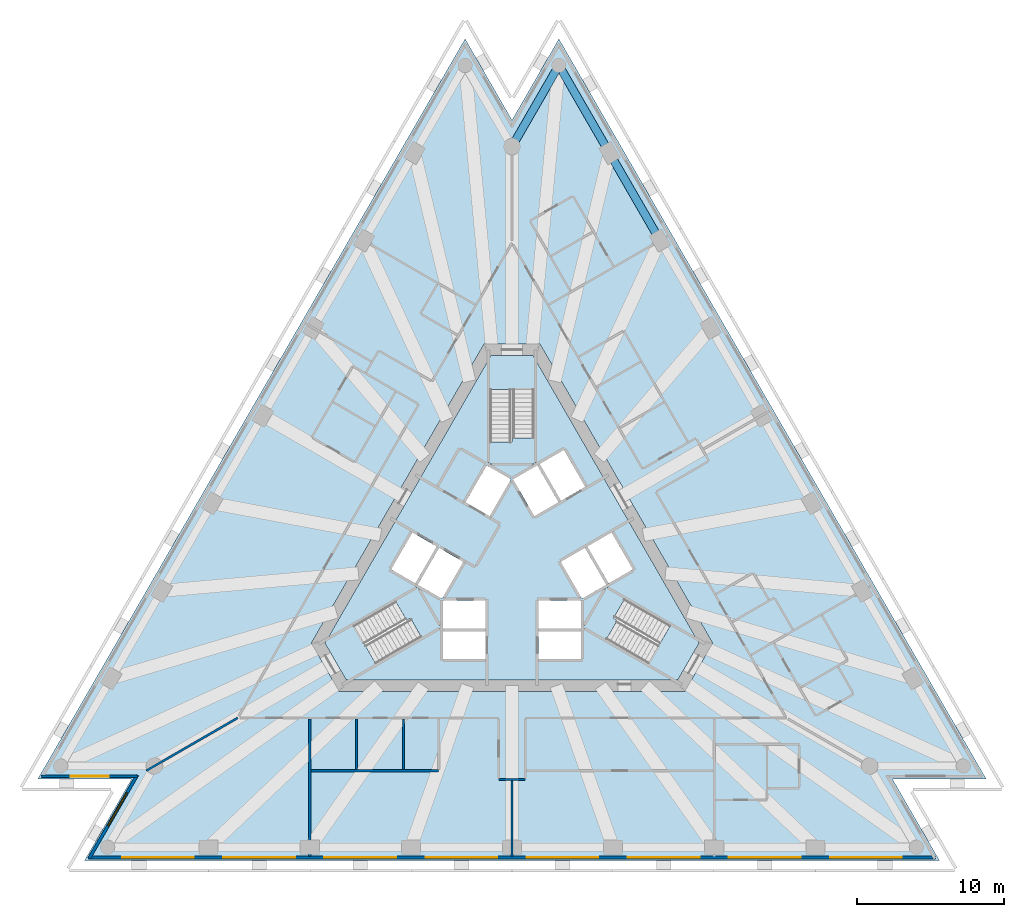
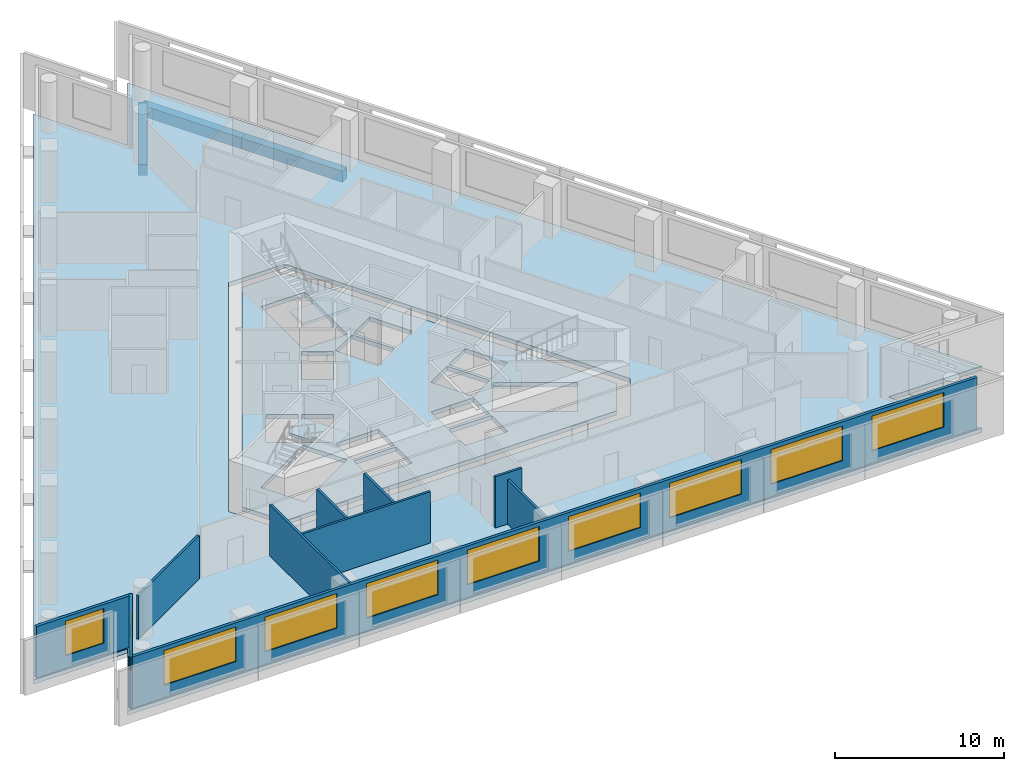
# One storey, part 2 of 10: 10 walls, 10 windows, 5 slabs, 3 beams, 10 openings, 3 elements without a shape of their own.
"""IFC4 building model written with IfcOpenShell, lengths in metres."""

from ifc_helpers import new_model, si_unit, direction, frame, frame_2d, origin, origin_2d, place, context, subcontext, project, spatial, polyline, rectangle, outline, extrude, material, layer, layer_set, layer_usage, material_profile, profile_set, type_object, element, fill, aggregate, save


model = new_model("IFC4")

# Units and contexts
model_context = context("Model", 3, precision=1e-05, world=origin(), true_north=direction((0.0, 1.0)))
body_context = subcontext(model_context, "Body", "Model", "MODEL_VIEW")
ifc_project = project(units=[si_unit("LENGTHUNIT", "METRE"), si_unit("AREAUNIT", "SQUARE_METRE"), si_unit("VOLUMEUNIT", "CUBIC_METRE"), si_unit("PLANEANGLEUNIT", "RADIAN"), si_unit("MASSUNIT", "GRAM", prefix="KILO")], contexts=[model_context])

# Site, building, storey
site_placement = place(None, origin())
site = spatial("IfcSite", under=ifc_project, at=site_placement, CompositionType="ELEMENT")
building_placement = place(site_placement, origin())
building = spatial("IfcBuilding", under=site, at=building_placement, Name="Triada Interchange Tower", CompositionType="ELEMENT")
storey_placement = place(building_placement, frame((0.0, 0.0, 116.300048828125)))
storey = spatial("IfcBuildingStorey", under=building, at=storey_placement, Name="L26", CompositionType="ELEMENT", Elevation=116.300048828125)

# Beams
ifc_material_1 = material(Name="Concrete C50/60", Category="concrete")
ifc_material_profile = material_profile(ifc_material_1, rectangle(XDim=0.550048828125, YDim=0.800048828125, at=origin_2d()), Name="RC 550x800")
ifc_profile_set = profile_set([ifc_material_profile], Name="Concrete C50/60")
beam_type = type_object("IfcBeamType", Name="Spandrel beam B RC 550x800", PredefinedType="BEAM", material=ifc_profile_set)
beam_1_placement = place(storey_placement, frame((10.096923828125, 21.760009765625, -0.699951171875), z_axis=(-0.500056430882, 0.865992820948, 0.0), x_axis=(-0.865992820948, -0.500056430882, 0.0)))
element("IfcBeam", 1, at=beam_1_placement, inside=storey, type_object=beam_type, Name="Spandrel beam EB27 L26", PredefinedType="BEAM", context=body_context, shape_type="SweptSolid", body=[
    extrude(rectangle(XDim=0.550048828125, YDim=0.800048828125, at=origin_2d()), origin(), (0.0, 0.0, 1.0), 6.897216796875),
])
beam_2_placement = place(storey_placement, frame((6.64794921875, 27.73291015625, -0.699951171875), z_axis=(-0.499979797689, 0.86603706728, 0.0), x_axis=(-0.86603706728, -0.499979797689, 0.0)))
element("IfcBeam", 2, at=beam_2_placement, inside=storey, type_object=beam_type, Name="Spandrel beam EB28 L26", PredefinedType="BEAM", context=body_context, shape_type="SweptSolid", body=[
    extrude(rectangle(XDim=0.550048828125, YDim=0.800048828125, at=origin_2d()), origin(), (0.0, 0.0, 1.0), 6.898193359375),
])
beam_3_placement = place(storey_placement, frame((3.198974609375, 33.70703125, -0.699951171875), z_axis=(-0.49991841402, -0.866072502348, 0.0), x_axis=(0.866072502348, -0.49991841402, 0.0)))
element("IfcBeam", 3, at=beam_3_placement, inside=storey, type_object=beam_type, Name="Spandrel beam EB29 L26", PredefinedType="BEAM", context=body_context, shape_type="SweptSolid", body=[
    extrude(rectangle(XDim=0.550048828125, YDim=0.800048828125, at=origin_2d()), origin(), (0.0, 0.0, 1.0), 6.39892578125),
])

# Slabs
ifc_layer_1 = layer(ifc_material_1, 0.300048828125)
ifc_layer_set_1 = layer_set([ifc_layer_1], Name="Floor slab 300")
slab_type_1 = type_object("IfcSlabType", Name="Floor slab 300", PredefinedType="FLOOR", material=ifc_layer_set_1)
slab_1_placement = place(storey_placement, frame((0.0, 0.0, -0.300048828125)))
element("IfcSlab", 4, at=slab_1_placement, inside=storey, type_object=slab_type_1, Name="Floor slab L26", PredefinedType="FLOOR", context=body_context, shape_type="SweptSolid", body=[
    extrude(outline(polyline([(-3.198974609375, 35.507080078125), (-32.34912109375, -14.98291015625), (-25.949951171875, -14.98291015625), (-29.14990234375, -20.52392578125), (29.14990234375, -20.52392578125), (25.949951171875, -14.98291015625), (32.34912109375, -14.98291015625), (3.198974609375, 35.507080078125), (0.0, 29.965087890625), (-3.198974609375, 35.507080078125)]), holes=[polyline([(1.905029296875, 14.699951171875), (-1.905029296875, 14.699951171875), (-13.68310546875, -5.699951171875), (-11.778076171875, -9.0), (11.778076171875, -9.0), (13.68310546875, -5.699951171875), (1.905029296875, 14.699951171875)])]), origin(), (0.0, 0.0, 1.0), 0.300048828125),
])
slab_2_placement = place(storey_placement, frame((0.0, 0.0, -0.300048828125)))
element("IfcSlab", 5, at=slab_2_placement, inside=storey, type_object=slab_type_1, Name="Core floor slab L26 1", PredefinedType="FLOOR", context=body_context, shape_type="SweptSolid", body=[
    extrude(outline(polyline([(12.759033203125, -5.699951171875), (11.31591796875, -8.199951171875), (-11.31591796875, -8.199951171875), (-12.759033203125, -5.699951171875), (-1.443115234375, 13.89990234375), (1.443115234375, 13.89990234375), (12.759033203125, -5.699951171875)]), holes=[polyline([(9.2958984375, -7.09912109375), (10.7958984375, -4.5009765625), (6.466064453125, -2.0009765625), (4.966064453125, -4.59912109375), (9.2958984375, -7.09912109375)]), polyline([(6.7890625, 1.841064453125), (5.14404296875, 0.89111328125), (6.593994140625, -1.6201171875), (8.239013671875, -0.669921875), (6.7890625, 1.841064453125)]), polyline([(4.77490234375, -2.669921875), (6.419921875, -1.719970703125), (4.969970703125, 0.791015625), (3.9150390625, 0.181884765625), (3.324951171875, -0.158935546875), (4.77490234375, -2.669921875)]), polyline([(1.89404296875, 6.52001953125), (3.343994140625, 4.009033203125), (4.989013671875, 4.958984375), (3.5390625, 7.469970703125), (1.89404296875, 6.52001953125)]), polyline([(4.699951171875, -6.800048828125), (4.699951171875, -4.89990234375), (1.800048828125, -4.89990234375), (1.800048828125, -6.800048828125), (4.699951171875, -6.800048828125)]), polyline([(4.699951171875, -2.800048828125), (1.800048828125, -2.800048828125), (1.800048828125, -4.699951171875), (4.699951171875, -4.699951171875), (4.699951171875, -2.800048828125)]), polyline([(0.074951171875, 5.469970703125), (1.52490234375, 2.958984375), (3.169921875, 3.908935546875), (1.719970703125, 6.419921875), (0.074951171875, 5.469970703125)]), polyline([(1.5, 11.60009765625), (-1.5, 11.60009765625), (-1.5, 6.60009765625), (1.5, 6.60009765625), (1.5, 11.60009765625)]), polyline([(-1.52490234375, 2.958984375), (-0.074951171875, 5.469970703125), (-1.719970703125, 6.419921875), (-3.169921875, 3.908935546875), (-1.52490234375, 2.958984375)]), polyline([(-1.800048828125, -2.800048828125), (-4.699951171875, -2.800048828125), (-4.699951171875, -4.699951171875), (-1.800048828125, -4.699951171875), (-1.800048828125, -2.800048828125)]), polyline([(-4.699951171875, -6.800048828125), (-1.800048828125, -6.800048828125), (-1.800048828125, -4.89990234375), (-4.699951171875, -4.89990234375), (-4.699951171875, -6.800048828125)]), polyline([(-4.77490234375, -2.669921875), (-3.324951171875, -0.158935546875), (-4.969970703125, 0.791015625), (-6.419921875, -1.719970703125), (-4.77490234375, -2.669921875)]), polyline([(-10.7958984375, -4.5009765625), (-9.2958984375, -7.09912109375), (-4.966064453125, -4.59912109375), (-6.466064453125, -2.0009765625), (-10.7958984375, -4.5009765625)]), polyline([(-6.593994140625, -1.6201171875), (-5.14404296875, 0.89111328125), (-6.7890625, 1.841064453125), (-8.239013671875, -0.669921875), (-6.593994140625, -1.6201171875)])]), origin(), (0.0, 0.0, 1.0), 0.300048828125),
])

# Stair, slab
ifc_material_2 = material(Name="Concrete C35/45", Category="concrete")
stair_type = type_object("IfcStairType", Name="HALF TURN STAIR 1400", PredefinedType="HALF_TURN_STAIR", material=ifc_material_2)
stair_1_placement = place(storey_placement, origin())
stair_1 = element("IfcStair", 6, at=stair_1_placement, inside=storey, type_object=stair_type, Name="Exit stair S26-1", PredefinedType="HALF_TURN_STAIR")
ifc_layer_2 = layer(ifc_material_2, 0.199951171875)
ifc_layer_set_2 = layer_set([ifc_layer_2], Name="STAIR LANDING 200")
slab_type_2 = type_object("IfcSlabType", Name="STAIR LANDING 200", PredefinedType="LANDING", material=ifc_layer_set_2)
slab_3_placement = place(storey_placement, frame((0.0, 0.0, 1.719970703125)))
slab_3 = element("IfcSlab", 7, at=slab_3_placement, type_object=slab_type_2, Name="S26-1 landing 1", PredefinedType="LANDING", context=body_context, shape_type="SweptSolid", body=[
    extrude(outline(polyline([(1.60009765625, 6.5), (1.60009765625, 8.300048828125), (0.0, 8.300048828125), (0.0, 8.0), (-1.60009765625, 8.0), (-1.60009765625, 6.5), (1.60009765625, 6.5)])), origin(), (0.0, 0.0, 1.0), 0.199951171875),
])
aggregate(stair_1, [slab_3])

stair_2_placement = place(storey_placement, origin())
stair_2 = element("IfcStair", 8, at=stair_2_placement, inside=storey, type_object=stair_type, Name="Exit stair S26-2", PredefinedType="HALF_TURN_STAIR")
slab_4_placement = place(storey_placement, frame((0.0, 0.0, 1.719970703125)))
slab_4 = element("IfcSlab", 9, at=slab_4_placement, type_object=slab_type_2, Name="S26-2 landing 1", PredefinedType="LANDING", context=body_context, shape_type="SweptSolid", body=[
    extrude(outline(polyline([(-6.428955078125, -1.864013671875), (-7.988037109375, -2.763916015625), (-7.18798828125, -4.14990234375), (-6.927978515625, -4.0), (-6.1279296875, -5.385986328125), (-4.8291015625, -4.635986328125), (-6.428955078125, -1.864013671875)])), origin(), (0.0, 0.0, 1.0), 0.199951171875),
])
aggregate(stair_2, [slab_4])

stair_3_placement = place(storey_placement, origin())
stair_3 = element("IfcStair", 10, at=stair_3_placement, inside=storey, type_object=stair_type, Name="Exit stair S26-3", PredefinedType="HALF_TURN_STAIR")
slab_5_placement = place(storey_placement, frame((0.0, 0.0, 1.719970703125)))
slab_5 = element("IfcSlab", 11, at=slab_5_placement, type_object=slab_type_2, Name="S26-3 landing 1", PredefinedType="LANDING", context=body_context, shape_type="SweptSolid", body=[
    extrude(outline(polyline([(4.8291015625, -4.635986328125), (6.387939453125, -5.535888671875), (7.18798828125, -4.14990234375), (6.927978515625, -4.0), (7.72802734375, -2.614013671875), (6.428955078125, -1.864013671875), (4.8291015625, -4.635986328125)])), origin(), (0.0, 0.0, 1.0), 0.199951171875),
])
aggregate(stair_3, [slab_5])

# Wall, opening, window
ifc_material_3 = material(Name="Cement board")
ifc_layer_3 = layer(ifc_material_3, 0.02001953125, Name="Cement board cladding")
ifc_material_4 = material(Name="Sheathing board")
ifc_layer_4 = layer(ifc_material_4, 0.014892578125, Name="Sheathing board")
ifc_material_5 = material(Name="Mineral wool")
ifc_layer_5 = layer(ifc_material_5, 0.14990234375, Name="Mineral wool between steel studs")
ifc_material_6 = material(Name="Gypsum board")
ifc_layer_6 = layer(ifc_material_6, 0.014892578125, Name="Plasterboard lining")
ifc_layer_set_3 = layer_set([ifc_layer_3, ifc_layer_4, ifc_layer_5, ifc_layer_6], Name="External wall 200")
ifc_layer_usage = layer_usage(ifc_layer_set_3, "AXIS2", "POSITIVE", -0.10009765625)
wall_type_1 = type_object("IfcWallType", Name="External wall 200", PredefinedType="ELEMENTEDWALL", material=ifc_layer_set_3)
wall_1_placement = place(storey_placement, frame((-32.093017578125, -14.782958984375, 0.0), z_axis=(0.0, 0.0, 1.0), x_axis=(1.0, 0.0, 0.0)))
wall_1 = element("IfcWall", 12, at=wall_1_placement, inside=storey, type_object=wall_type_1, material=ifc_layer_usage, Name="External wall L26 SW-1", PredefinedType="ELEMENTEDWALL", context=body_context, shape_type="SweptSolid", body=[
    extrude(rectangle(XDim=6.55908203125, YDim=0.199951171875, at=frame_2d((3.279541015625, 0.0))), origin(), (0.0, 0.0, 1.0), 3.699951171875),
])
opening_1_placement = place(wall_1_placement, frame((1.989990234375, 0.0, 0.89990234375)))
opening_1 = element("IfcOpeningElement", 13, at=opening_1_placement, cuts=wall_1, Name="Opening WB09", PredefinedType="OPENING", context=body_context, shape_type="SweptSolid", body=[
    extrude(rectangle(XDim=2.60009765625, YDim=2.5, at=frame_2d((1.300048828125, 1.25))), frame((0.0, 0.10986328125, 0.0), z_axis=(0.0, -1.0, 0.0), x_axis=(1.0, 0.0, 0.0)), (0.0, 0.0, 1.0), 0.219970703125),
])
ifc_material_7 = material(Name="Double glazed aluminium window", Category="aluminium")
window_type_1 = type_object("IfcWindowType", Name="Ribbon window B pocket", PartitioningType="SINGLE_PANEL", PredefinedType="WINDOW", material=ifc_material_7)
window_1_placement = place(opening_1_placement, origin())
window_1 = element("IfcWindow", 14, at=window_1_placement, inside=storey, type_object=window_type_1, Name="Window L26 SW-1 1", OverallHeight=2.5, OverallWidth=2.60009765625, PartitioningType="SINGLE_PANEL", PredefinedType="WINDOW", context=body_context, shape_type="SweptSolid", body=[
    extrude(rectangle(XDim=2.60009765625, YDim=2.5, at=frame_2d((1.300048828125, 1.25))), frame((0.0, 0.030029296875, 0.0), z_axis=(0.0, -1.0, 0.0), x_axis=(1.0, 0.0, 0.0)), (0.0, 0.0, 1.0), 0.06005859375),
])
fill(opening_1, window_1)

wall_2_placement = place(storey_placement, frame((-25.55908203125, -14.705078125, 0.0), z_axis=(0.0, 0.0, 1.0), x_axis=(-0.500082240168, -0.865977917195, 0.0)))
wall_2 = element("IfcWall", 15, at=wall_2_placement, inside=storey, type_object=wall_type_1, material=ifc_layer_usage, Name="External wall L26 SW-2", PredefinedType="ELEMENTEDWALL", context=body_context, shape_type="SweptSolid", body=[
    extrude(rectangle(XDim=6.55908203125, YDim=0.199951171875, at=frame_2d((3.279541015625, 0.0))), origin(), (0.0, 0.0, 1.0), 3.699951171875),
])
opening_2_placement = place(wall_2_placement, frame((1.389892578125, 0.0, 0.89990234375)))
opening_2 = element("IfcOpeningElement", 16, at=opening_2_placement, cuts=wall_2, Name="Opening WB10", PredefinedType="OPENING", context=body_context, shape_type="SweptSolid", body=[
    extrude(rectangle(XDim=2.60009765625, YDim=2.5, at=frame_2d((1.300048828125, 1.25))), frame((0.0, 0.10986328125, 0.0), z_axis=(0.0, -1.0, 0.0), x_axis=(1.0, 0.0, 0.0)), (0.0, 0.0, 1.0), 0.219970703125),
])
window_2_placement = place(opening_2_placement, origin())
window_2 = element("IfcWindow", 17, at=window_2_placement, inside=storey, type_object=window_type_1, Name="Window L26 SW-2 1", OverallHeight=2.5, OverallWidth=2.60009765625, PartitioningType="SINGLE_PANEL", PredefinedType="WINDOW", context=body_context, shape_type="SweptSolid", body=[
    extrude(rectangle(XDim=2.60009765625, YDim=2.5, at=frame_2d((1.300048828125, 1.25))), frame((0.0, 0.030029296875, 0.0), z_axis=(0.0, -1.0, 0.0), x_axis=(1.0, 0.0, 0.0)), (0.0, 0.0, 1.0), 0.06005859375),
])
fill(opening_2, window_2)

# Wall, openings, windows
wall_3_placement = place(storey_placement, frame((-28.89404296875, -20.323974609375, 0.0), z_axis=(0.0, 0.0, 1.0), x_axis=(1.0, 0.0, 0.0)))
wall_3 = element("IfcWall", 18, at=wall_3_placement, inside=storey, type_object=wall_type_1, material=ifc_layer_usage, Name="External wall L26 S", PredefinedType="ELEMENTEDWALL", context=body_context, shape_type="SweptSolid", body=[
    extrude(rectangle(XDim=57.76806640625, YDim=0.199951171875, at=frame_2d((28.884033203125, 0.0))), origin(), (0.0, 0.0, 1.0), 3.699951171875),
])
opening_3_placement = place(wall_3_placement, frame((2.302001953125, 0.0, 0.89990234375)))
opening_3 = element("IfcOpeningElement", 19, at=opening_3_placement, cuts=wall_3, Name="Opening WB11", PredefinedType="OPENING", context=body_context, shape_type="SweptSolid", body=[
    extrude(rectangle(XDim=4.89990234375, YDim=2.5, at=frame_2d((2.449951171875, 1.25))), frame((0.0, 0.10986328125, 0.0), z_axis=(0.0, -1.0, 0.0), x_axis=(1.0, 0.0, 0.0)), (0.0, 0.0, 1.0), 0.219970703125),
])
opening_4_placement = place(wall_3_placement, frame((9.199951171875, 0.0, 0.89990234375)))
opening_4 = element("IfcOpeningElement", 20, at=opening_4_placement, cuts=wall_3, Name="Opening WB12", PredefinedType="OPENING", context=body_context, shape_type="SweptSolid", body=[
    extrude(rectangle(XDim=4.89990234375, YDim=2.5, at=frame_2d((2.449951171875, 1.25))), frame((0.0, 0.10986328125, 0.0), z_axis=(0.0, -1.0, 0.0), x_axis=(1.0, 0.0, 0.0)), (0.0, 0.0, 1.0), 0.219970703125),
])
opening_5_placement = place(wall_3_placement, frame((16.096923828125, 0.0, 0.89990234375)))
opening_5 = element("IfcOpeningElement", 21, at=opening_5_placement, cuts=wall_3, Name="Opening WB13", PredefinedType="OPENING", context=body_context, shape_type="SweptSolid", body=[
    extrude(rectangle(XDim=4.89990234375, YDim=2.5, at=frame_2d((2.449951171875, 1.25))), frame((0.0, 0.10986328125, 0.0), z_axis=(0.0, -1.0, 0.0), x_axis=(1.0, 0.0, 0.0)), (0.0, 0.0, 1.0), 0.219970703125),
])
opening_6_placement = place(wall_3_placement, frame((22.9951171875, 0.0, 0.89990234375)))
opening_6 = element("IfcOpeningElement", 22, at=opening_6_placement, cuts=wall_3, Name="Opening WB14", PredefinedType="OPENING", context=body_context, shape_type="SweptSolid", body=[
    extrude(rectangle(XDim=4.89990234375, YDim=2.5, at=frame_2d((2.449951171875, 1.25))), frame((0.0, 0.10986328125, 0.0), z_axis=(0.0, -1.0, 0.0), x_axis=(1.0, 0.0, 0.0)), (0.0, 0.0, 1.0), 0.219970703125),
])
opening_7_placement = place(wall_3_placement, frame((29.89306640625, 0.0, 0.89990234375)))
opening_7 = element("IfcOpeningElement", 23, at=opening_7_placement, cuts=wall_3, Name="Opening WB15", PredefinedType="OPENING", context=body_context, shape_type="SweptSolid", body=[
    extrude(rectangle(XDim=4.89990234375, YDim=2.5, at=frame_2d((2.449951171875, 1.25))), frame((0.0, 0.10986328125, 0.0), z_axis=(0.0, -1.0, 0.0), x_axis=(1.0, 0.0, 0.0)), (0.0, 0.0, 1.0), 0.219970703125),
])
opening_8_placement = place(wall_3_placement, frame((36.791015625, 0.0, 0.89990234375)))
opening_8 = element("IfcOpeningElement", 24, at=opening_8_placement, cuts=wall_3, Name="Opening WB16", PredefinedType="OPENING", context=body_context, shape_type="SweptSolid", body=[
    extrude(rectangle(XDim=4.89990234375, YDim=2.5, at=frame_2d((2.449951171875, 1.25))), frame((0.0, 0.10986328125, 0.0), z_axis=(0.0, -1.0, 0.0), x_axis=(1.0, 0.0, 0.0)), (0.0, 0.0, 1.0), 0.219970703125),
])
opening_9_placement = place(wall_3_placement, frame((43.68798828125, 0.0, 0.89990234375)))
opening_9 = element("IfcOpeningElement", 25, at=opening_9_placement, cuts=wall_3, Name="Opening WB17", PredefinedType="OPENING", context=body_context, shape_type="SweptSolid", body=[
    extrude(rectangle(XDim=4.89990234375, YDim=2.5, at=frame_2d((2.449951171875, 1.25))), frame((0.0, 0.10986328125, 0.0), z_axis=(0.0, -1.0, 0.0), x_axis=(1.0, 0.0, 0.0)), (0.0, 0.0, 1.0), 0.219970703125),
])
opening_10_placement = place(wall_3_placement, frame((50.5859375, 0.0, 0.89990234375)))
opening_10 = element("IfcOpeningElement", 26, at=opening_10_placement, cuts=wall_3, Name="Opening WB18", PredefinedType="OPENING", context=body_context, shape_type="SweptSolid", body=[
    extrude(rectangle(XDim=4.89990234375, YDim=2.5, at=frame_2d((2.449951171875, 1.25))), frame((0.0, 0.10986328125, 0.0), z_axis=(0.0, -1.0, 0.0), x_axis=(1.0, 0.0, 0.0)), (0.0, 0.0, 1.0), 0.219970703125),
])
window_type_2 = type_object("IfcWindowType", Name="Ribbon window B face", PartitioningType="SINGLE_PANEL", PredefinedType="WINDOW", material=ifc_material_7)
window_3_placement = place(opening_3_placement, origin())
window_3 = element("IfcWindow", 27, at=window_3_placement, inside=storey, type_object=window_type_2, Name="Window L26 S 1", OverallHeight=2.5, OverallWidth=4.89990234375, PartitioningType="SINGLE_PANEL", PredefinedType="WINDOW", context=body_context, shape_type="SweptSolid", body=[
    extrude(rectangle(XDim=4.89990234375, YDim=2.5, at=frame_2d((2.449951171875, 1.25))), frame((0.0, 0.030029296875, 0.0), z_axis=(0.0, -1.0, 0.0), x_axis=(1.0, 0.0, 0.0)), (0.0, 0.0, 1.0), 0.06005859375),
])
fill(opening_3, window_3)
window_4_placement = place(opening_4_placement, origin())
window_4 = element("IfcWindow", 28, at=window_4_placement, inside=storey, type_object=window_type_2, Name="Window L26 S 2", OverallHeight=2.5, OverallWidth=4.89990234375, PartitioningType="SINGLE_PANEL", PredefinedType="WINDOW", context=body_context, shape_type="SweptSolid", body=[
    extrude(rectangle(XDim=4.89990234375, YDim=2.5, at=frame_2d((2.449951171875, 1.25))), frame((0.0, 0.030029296875, 0.0), z_axis=(0.0, -1.0, 0.0), x_axis=(1.0, 0.0, 0.0)), (0.0, 0.0, 1.0), 0.06005859375),
])
fill(opening_4, window_4)
window_5_placement = place(opening_5_placement, origin())
window_5 = element("IfcWindow", 29, at=window_5_placement, inside=storey, type_object=window_type_2, Name="Window L26 S 3", OverallHeight=2.5, OverallWidth=4.89990234375, PartitioningType="SINGLE_PANEL", PredefinedType="WINDOW", context=body_context, shape_type="SweptSolid", body=[
    extrude(rectangle(XDim=4.89990234375, YDim=2.5, at=frame_2d((2.449951171875, 1.25))), frame((0.0, 0.030029296875, 0.0), z_axis=(0.0, -1.0, 0.0), x_axis=(1.0, 0.0, 0.0)), (0.0, 0.0, 1.0), 0.06005859375),
])
fill(opening_5, window_5)
window_6_placement = place(opening_6_placement, origin())
window_6 = element("IfcWindow", 30, at=window_6_placement, inside=storey, type_object=window_type_2, Name="Window L26 S 4", OverallHeight=2.5, OverallWidth=4.89990234375, PartitioningType="SINGLE_PANEL", PredefinedType="WINDOW", context=body_context, shape_type="SweptSolid", body=[
    extrude(rectangle(XDim=4.89990234375, YDim=2.5, at=frame_2d((2.449951171875, 1.25))), frame((0.0, 0.030029296875, 0.0), z_axis=(0.0, -1.0, 0.0), x_axis=(1.0, 0.0, 0.0)), (0.0, 0.0, 1.0), 0.06005859375),
])
fill(opening_6, window_6)
window_7_placement = place(opening_7_placement, origin())
window_7 = element("IfcWindow", 31, at=window_7_placement, inside=storey, type_object=window_type_2, Name="Window L26 S 5", OverallHeight=2.5, OverallWidth=4.89990234375, PartitioningType="SINGLE_PANEL", PredefinedType="WINDOW", context=body_context, shape_type="SweptSolid", body=[
    extrude(rectangle(XDim=4.89990234375, YDim=2.5, at=frame_2d((2.449951171875, 1.25))), frame((0.0, 0.030029296875, 0.0), z_axis=(0.0, -1.0, 0.0), x_axis=(1.0, 0.0, 0.0)), (0.0, 0.0, 1.0), 0.06005859375),
])
fill(opening_7, window_7)
window_8_placement = place(opening_8_placement, origin())
window_8 = element("IfcWindow", 32, at=window_8_placement, inside=storey, type_object=window_type_2, Name="Window L26 S 6", OverallHeight=2.5, OverallWidth=4.89990234375, PartitioningType="SINGLE_PANEL", PredefinedType="WINDOW", context=body_context, shape_type="SweptSolid", body=[
    extrude(rectangle(XDim=4.89990234375, YDim=2.5, at=frame_2d((2.449951171875, 1.25))), frame((0.0, 0.030029296875, 0.0), z_axis=(0.0, -1.0, 0.0), x_axis=(1.0, 0.0, 0.0)), (0.0, 0.0, 1.0), 0.06005859375),
])
fill(opening_8, window_8)
window_9_placement = place(opening_9_placement, origin())
window_9 = element("IfcWindow", 33, at=window_9_placement, inside=storey, type_object=window_type_2, Name="Window L26 S 7", OverallHeight=2.5, OverallWidth=4.89990234375, PartitioningType="SINGLE_PANEL", PredefinedType="WINDOW", context=body_context, shape_type="SweptSolid", body=[
    extrude(rectangle(XDim=4.89990234375, YDim=2.5, at=frame_2d((2.449951171875, 1.25))), frame((0.0, 0.030029296875, 0.0), z_axis=(0.0, -1.0, 0.0), x_axis=(1.0, 0.0, 0.0)), (0.0, 0.0, 1.0), 0.06005859375),
])
fill(opening_9, window_9)
window_10_placement = place(opening_10_placement, origin())
window_10 = element("IfcWindow", 34, at=window_10_placement, inside=storey, type_object=window_type_2, Name="Window L26 S 8", OverallHeight=2.5, OverallWidth=4.89990234375, PartitioningType="SINGLE_PANEL", PredefinedType="WINDOW", context=body_context, shape_type="SweptSolid", body=[
    extrude(rectangle(XDim=4.89990234375, YDim=2.5, at=frame_2d((2.449951171875, 1.25))), frame((0.0, 0.030029296875, 0.0), z_axis=(0.0, -1.0, 0.0), x_axis=(1.0, 0.0, 0.0)), (0.0, 0.0, 1.0), 0.06005859375),
])
fill(opening_10, window_10)

# Walls
ifc_material_8 = material(Name="Gypsum board partition")
ifc_layer_7 = layer(ifc_material_8, 0.14990234375)
ifc_layer_set_4 = layer_set([ifc_layer_7], Name="PARTITION 150 EI 180")
wall_type_2 = type_object("IfcWallType", Name="PARTITION 150 EI 180", PredefinedType="PARTITIONING", material=ifc_layer_set_4)
wall_4_placement = place(storey_placement, frame((-24.927978515625, -14.39306640625, 0.0), z_axis=(0.0, 0.0, 1.0), x_axis=(0.866011883308, 0.500023417421, 0.0)))
element("IfcWall", 35, at=wall_4_placement, inside=storey, type_object=wall_type_2, Name="Wall L26 1", PredefinedType="PARTITIONING", context=body_context, shape_type="SweptSolid", body=[
    extrude(rectangle(XDim=7.185791015625, YDim=0.14990234375, at=frame_2d((3.5927734375, 0.0))), origin(), (0.0, 0.0, 1.0), 3.14990234375),
])
wall_5_placement = place(storey_placement, frame((-13.7958984375, -20.243896484375, 0.0), z_axis=(0.0, 0.0, 1.0), x_axis=(0.0, 1.0, 0.0)))
element("IfcWall", 36, at=wall_5_placement, inside=storey, type_object=wall_type_2, Name="Wall L26 10", PredefinedType="PARTITIONING", context=body_context, shape_type="SweptSolid", body=[
    extrude(rectangle(XDim=9.368896484375, YDim=0.14990234375, at=frame_2d((4.6845703125, 0.0))), origin(), (0.0, 0.0, 1.0), 3.699951171875),
])
wall_6_placement = place(storey_placement, frame((-13.720947265625, -14.39990234375, 0.0), z_axis=(0.0, 0.0, 1.0), x_axis=(1.0, 0.0, 0.0)))
element("IfcWall", 37, at=wall_6_placement, inside=storey, type_object=wall_type_2, Name="Wall L26 11", PredefinedType="PARTITIONING", context=body_context, shape_type="SweptSolid", body=[
    extrude(rectangle(XDim=8.724853515625, YDim=0.14990234375, at=frame_2d((4.3623046875, 0.0))), origin(), (0.0, 0.0, 1.0), 3.699951171875),
])
for number, where, z_axis, x_axis, name in (
    (38, (-10.595947265625, -14.324951171875, 0.0), (0.0, 0.0, 1.0), (0.0, 1.0, 0.0), "Wall L26 13"),
    (39, (-7.39599609375, -14.324951171875, 0.0), (0.0, 0.0, 1.0), (0.0, 1.0, 0.0), "Wall L26 16"),
):
    element("IfcWall", number, at=place(storey_placement, frame(where, z_axis=z_axis, x_axis=x_axis)), inside=storey, type_object=wall_type_2, Name=name, PredefinedType="PARTITIONING", context=body_context, shape_type="SweptSolid", body=[
        extrude(rectangle(XDim=3.449951171875, YDim=0.14990234375, at=frame_2d((1.72509765625, 0.0))), origin(), (0.0, 0.0, 1.0), 3.699951171875),
    ])
wall_7_placement = place(storey_placement, frame((-0.89990234375, -15.0, 0.0), z_axis=(0.0, 0.0, 1.0), x_axis=(1.0, 0.0, 0.0)))
element("IfcWall", 40, at=wall_7_placement, inside=storey, type_object=wall_type_2, Name="Wall L26 19", PredefinedType="PARTITIONING", context=body_context, shape_type="SweptSolid", body=[
    extrude(rectangle(XDim=1.7998046875, YDim=0.14990234375, at=frame_2d((0.89990234375, 0.0))), origin(), (0.0, 0.0, 1.0), 3.699951171875),
])
wall_8_placement = place(storey_placement, frame((0.0, -20.243896484375, 0.0), z_axis=(0.0, 0.0, 1.0), x_axis=(0.0, 1.0, 0.0)))
element("IfcWall", 41, at=wall_8_placement, inside=storey, type_object=wall_type_2, Name="Wall L26 21", PredefinedType="PARTITIONING", context=body_context, shape_type="SweptSolid", body=[
    extrude(rectangle(XDim=5.1689453125, YDim=0.14990234375, at=frame_2d((2.58447265625, 0.0))), origin(), (0.0, 0.0, 1.0), 3.199951171875),
])

save(model, "model.ifc")
